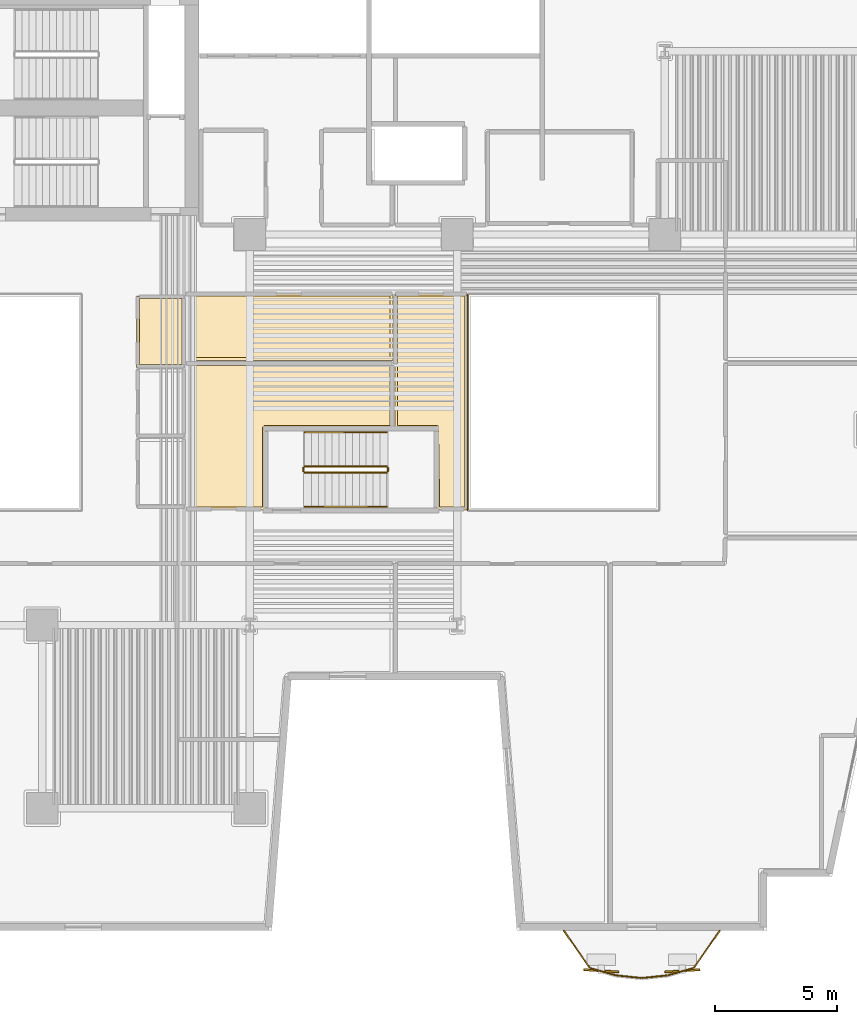
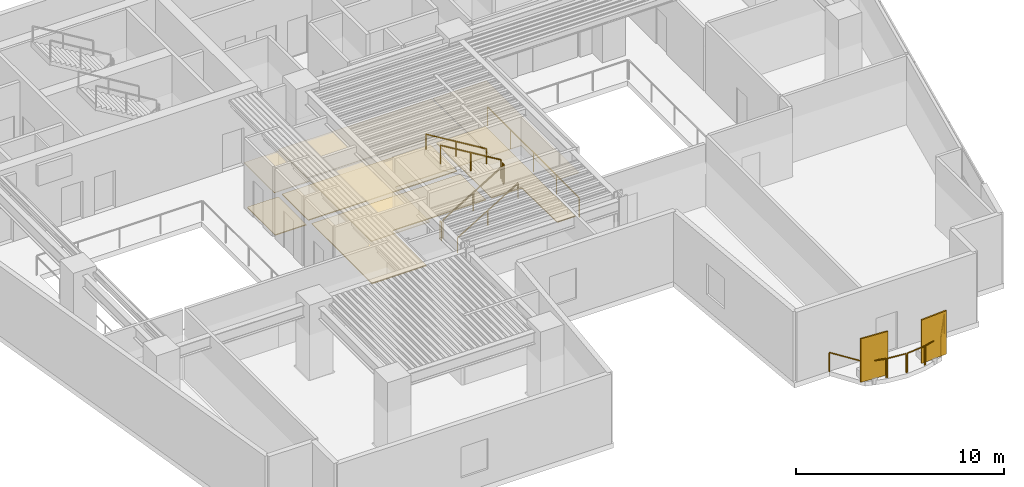
# One storey, part 8 of 11: 13 railings, 8 coverings, 2 shading devices.
"""IFC4 building model written with IfcOpenShell, lengths in metres."""

import ifcopenshell
import ifcopenshell.guid

model = None  # the IFC model being written
_history = None  # IfcOwnerHistory: only IFC2X3 demands one
_inside = {}  # id of a spatial element -> (the spatial element, [elements in it])
_under = {}  # id of a project, library or spatial element -> (it, [spatial elements below it])
_declared = {}  # id of a project -> (the project, [libraries it declares])
_typed = {}  # id of a type object -> (the type object, [elements of that type])
_made_of = {}  # id of a material, layer set ... -> (it, [elements and type objects made of it])


def new_model(schema):
    """Start an empty IFC model of exactly this schema.

    Asked for "IFC4X3", IfcOpenShell would pick the latest addendum, in which some entities
    have other attributes; the version numbers below select the first issue.
    IFC2X3 requires an IfcOwnerHistory on every rooted entity: one is made here for all.
    """
    global model, _history
    if schema == "IFC4X3":
        model = ifcopenshell.file(schema_version=(4, 3, 0, 0))
    else:
        model = ifcopenshell.file(schema=schema)
    _inside.clear()
    _under.clear()
    _declared.clear()
    _typed.clear()
    _made_of.clear()
    _history = None
    if model.schema == "IFC2X3":
        org = make("IfcOrganization", Name="unknown")
        user = make(
            "IfcPersonAndOrganization",
            ThePerson=make("IfcPerson", FamilyName="unknown"),
            TheOrganization=org,
        )
        app = make(
            "IfcApplication",
            ApplicationDeveloper=org,
            Version="unknown",
            ApplicationFullName="unknown",
            ApplicationIdentifier="unknown",
        )
        _history = make(
            "IfcOwnerHistory",
            OwningUser=user,
            OwningApplication=app,
            ChangeAction="ADDED",
            CreationDate=0,
        )
    return model


def make(cls, **values):
    """One entity of the class cls with the attributes given. An attribute that is None is left unset."""
    return model.create_entity(
        cls, **{name: value for name, value in values.items() if value is not None}
    )


def rooted(cls, **values):
    """An entity with a GlobalId (a new one), such as an element, a storey or a relation."""
    return make(cls, GlobalId=ifcopenshell.guid.new(), OwnerHistory=_history, **values)


def si_unit(unit_type, name, prefix=None):
    """IfcSIUnit, for example si_unit("LENGTHUNIT", "METRE", prefix="MILLI")."""
    return make("IfcSIUnit", UnitType=unit_type, Prefix=prefix, Name=name)


def assignment(units):
    """IfcUnitAssignment: the units of a project."""
    return None if units is None else make("IfcUnitAssignment", Units=units)


def point(xyz):
    """IfcCartesianPoint."""
    return None if xyz is None else make("IfcCartesianPoint", Coordinates=xyz)


def direction(xyz):
    """IfcDirection."""
    return None if xyz is None else make("IfcDirection", DirectionRatios=xyz)


def frame(location, z_axis=None, x_axis=None):
    """IfcAxis2Placement3D, a coordinate frame: its origin and axes. An axis left out is left unset."""
    return make(
        "IfcAxis2Placement3D",
        Location=point(location),
        Axis=direction(z_axis),
        RefDirection=direction(x_axis),
    )


def frame_2d(location, x_axis=None):
    """IfcAxis2Placement2D, a coordinate frame in the plane: its origin and x axis."""
    return make(
        "IfcAxis2Placement2D", Location=point(location), RefDirection=direction(x_axis)
    )


def origin():
    """The frame at (0, 0, 0) with its axes left unset."""
    return frame((0.0, 0.0, 0.0))


def origin_2d():
    """The frame at (0, 0) in the plane with its x axis left unset."""
    return frame_2d((0.0, 0.0))


def place(relative_to, where):
    """IfcLocalPlacement: puts the frame where relative to a parent placement (None: the world)."""
    return make(
        "IfcLocalPlacement", PlacementRelTo=relative_to, RelativePlacement=where
    )


def context(
    kind, dimensions, precision=None, world=None, true_north=None, identifier=None
):
    """IfcGeometricRepresentationContext, for example the 3D "Model" context."""
    return make(
        "IfcGeometricRepresentationContext",
        ContextIdentifier=identifier,
        ContextType=kind,
        CoordinateSpaceDimension=dimensions,
        Precision=precision,
        WorldCoordinateSystem=world,
        TrueNorth=true_north,
    )


def subcontext(parent, identifier, kind, view, scale=None):
    """IfcGeometricRepresentationSubContext, for example "Body" below "Model"."""
    return make(
        "IfcGeometricRepresentationSubContext",
        ContextIdentifier=identifier,
        ContextType=kind,
        ParentContext=parent,
        TargetScale=scale,
        TargetView=view,
    )


def project(units=None, contexts=None):
    """IfcProject with its units and contexts."""
    return rooted(
        "IfcProject",
        Name="project",
        RepresentationContexts=contexts,
        UnitsInContext=assignment(units),
    )


def spatial(cls, under=None, at=None, **own):
    """A site, building, storey or space (cls), placed at a placement, below another one or the project."""
    s = rooted(cls, ObjectPlacement=at, **own)
    if under is not None:
        _under.setdefault(under.id(), (under, []))[1].append(s)
    return s


def polyline(points):
    """IfcPolyline through the points."""
    return make("IfcPolyline", Points=[point(p) for p in points])


def profile(cls, at=None, kind="AREA", **sizes):
    """A parametric profile (cls). Its sizes go by their IFC names, for example OverallWidth=200.0."""
    return make(cls, ProfileType=kind, Position=at, **sizes)


def rectangle(**sizes):
    """IfcRectangleProfileDef."""
    return profile("IfcRectangleProfileDef", **sizes)


def outline(outer, holes=None, kind="AREA"):
    """IfcArbitraryClosedProfileDef: a profile drawn as a closed curve; with holes, ...WithVoids."""
    if holes is None:
        return make("IfcArbitraryClosedProfileDef", ProfileType=kind, OuterCurve=outer)
    return make(
        "IfcArbitraryProfileDefWithVoids",
        ProfileType=kind,
        OuterCurve=outer,
        InnerCurves=holes,
    )


def extrude(swept, where, along, depth):
    """IfcExtrudedAreaSolid: the profile swept, set in the frame where, extruded along a direction by depth."""
    return make(
        "IfcExtrudedAreaSolid",
        SweptArea=swept,
        Position=where,
        ExtrudedDirection=direction(along),
        Depth=depth,
    )


def shape(context_of_items, identifier, shape_type, items):
    """IfcShapeRepresentation: the items that make up one representation, for example the "Body"."""
    return make(
        "IfcShapeRepresentation",
        ContextOfItems=context_of_items,
        RepresentationIdentifier=identifier,
        RepresentationType=shape_type,
        Items=items,
    )


def material(Name=None, Category=None):
    """IfcMaterial."""
    return make("IfcMaterial", Name=Name, Category=Category)


def layer(
    of_material, thickness, ventilated=None, Name=None, Category=None, Priority=None
):
    """IfcMaterialLayer: one layer of a wall or slab, of a material (None: an air gap)."""
    return make(
        "IfcMaterialLayer",
        Material=of_material,
        LayerThickness=thickness,
        IsVentilated=ventilated,
        Name=Name,
        Category=Category,
        Priority=Priority,
    )


def layer_set(layers, Name=None):
    """IfcMaterialLayerSet."""
    return make("IfcMaterialLayerSet", MaterialLayers=layers, LayerSetName=Name)


def made_of(thing, what):
    """Note that an element or type object is made of a material, layer set ...; save() writes the relation."""
    if what is not None:
        _made_of.setdefault(what.id(), (what, []))[1].append(thing)
    return thing


def type_object(cls, material=None, **own):
    """A type object (cls), such as IfcWallType, which elements share."""
    return made_of(rooted(cls, **own), material)


def element(
    cls,
    number,
    at=None,
    inside=None,
    cuts=None,
    type_object=None,
    material=None,
    context=None,
    identifier="Body",
    shape_type=None,
    held_by="IfcProductDefinitionShape",
    body=None,
    shapes=None,
    **own,
):
    """One element of the class cls, such as IfcWall. Its Tag is "e" and its number.

    at: its placement. inside: the storey or other place that contains it. cuts: it is an
    opening in that element (IfcRelVoidsElement). A single representation is given by context,
    identifier, shape_type and body (its items); several are given by shapes. held_by: the class
    of the entity that holds the representations. save() writes the other relations.
    """
    e = rooted(cls, Tag="e%d" % number, ObjectPlacement=at, **own)
    if body is not None:
        shapes = [shape(context, identifier, shape_type, body)]
    if shapes is not None:
        e.Representation = make(held_by, Representations=shapes)
    if inside is not None:
        _inside.setdefault(inside.id(), (inside, []))[1].append(e)
    if cuts is not None:
        rooted(
            "IfcRelVoidsElement", RelatingBuildingElement=cuts, RelatedOpeningElement=e
        )
    if type_object is not None:
        _typed.setdefault(type_object.id(), (type_object, []))[1].append(e)
    return made_of(e, material)


def aggregate(whole, parts):
    """IfcRelAggregates: a whole, such as a stair, and the parts it consists of."""
    return rooted("IfcRelAggregates", RelatingObject=whole, RelatedObjects=parts)


def save(model, path):
    """Write the relations noted so far, then the file.

    IfcRelAggregates (storeys below a building ...), IfcRelContainedInSpatialStructure (elements
    in a storey), IfcRelDefinesByType, IfcRelAssociatesMaterial and IfcRelDeclares: one each for
    every whole, place, type object, material and project.
    """
    for whole, parts in _under.values():
        aggregate(whole, parts)
    for where, things in _inside.values():
        rooted(
            "IfcRelContainedInSpatialStructure",
            RelatedElements=things,
            RelatingStructure=where,
        )
    for kind, things in _typed.values():
        rooted("IfcRelDefinesByType", RelatedObjects=things, RelatingType=kind)
    for what, things in _made_of.values():
        rooted("IfcRelAssociatesMaterial", RelatedObjects=things, RelatingMaterial=what)
    for by, libraries in _declared.values():
        rooted("IfcRelDeclares", RelatingContext=by, RelatedDefinitions=libraries)
    model.write(path)


model = new_model("IFC4")

# Units and contexts
model_context = context("Model", 3, precision=1e-05, world=origin(), true_north=direction((0.0, 1.0)))
body_context = subcontext(model_context, "Body", "Model", "MODEL_VIEW")
ifc_project = project(units=[si_unit("LENGTHUNIT", "METRE"), si_unit("AREAUNIT", "SQUARE_METRE"), si_unit("VOLUMEUNIT", "CUBIC_METRE"), si_unit("PLANEANGLEUNIT", "RADIAN"), si_unit("MASSUNIT", "GRAM", prefix="KILO")], contexts=[model_context])

# Site, building, storey
site_placement = place(None, origin())
site = spatial("IfcSite", under=ifc_project, at=site_placement, CompositionType="ELEMENT")
building_placement = place(site_placement, origin())
building = spatial("IfcBuilding", under=site, at=building_placement, Name="Caeloran Harvest Quay", CompositionType="ELEMENT")
storey_placement = place(building_placement, frame((0.0, 0.0, 53.39990234375)))
storey = spatial("IfcBuildingStorey", under=building, at=storey_placement, Name="L12", CompositionType="ELEMENT", Elevation=53.39990234375)

# Coverings
ifc_material_1 = material(Name="Perforated Mineral-Fibre Acoustic Ceiling Tile", Category="ceiling")
ifc_layer_1 = layer(ifc_material_1, 0.0400390625, Name="Perforated Mineral-Fibre Acoustic Ceiling Tile")
ifc_layer_set_1 = layer_set([ifc_layer_1], Name="Perforated Mineral-Fibre Acoustic Ceiling Tile")
covering_type_1 = type_object("IfcCoveringType", Name="COV-CEILING-ACOUSTIC", PredefinedType="CEILING", material=ifc_layer_set_1)
covering_1_placement = place(storey_placement, frame((0.0, 0.0, 2.60009765625)))
element("IfcCovering", 1, at=covering_1_placement, inside=storey, type_object=covering_type_1, Name="L12 Male Washroom WC Acoustic Ceiling", PredefinedType="CEILING", context=body_context, shape_type="SweptSolid", body=[
    extrude(outline(polyline([(22.840087890625, 25.56005859375), (20.8701171875, 25.56005859375), (20.8701171875, 28.489990234375), (22.840087890625, 28.489990234375), (22.840087890625, 25.56005859375)])), origin(), (0.0, 0.0, 1.0), 0.0400390625),
])
covering_2_placement = place(storey_placement, frame((0.0, 0.0, 2.60009765625)))
element("IfcCovering", 2, at=covering_2_placement, inside=storey, type_object=covering_type_1, Name="Tea Blending Kitchen Acoustic Ceiling", PredefinedType="CEILING", context=body_context, shape_type="SweptSolid", body=[
    extrude(outline(polyline([(26.139892578125, 23.06005859375), (26.139892578125, 19.7099609375), (22.8701171875, 19.7099609375), (22.8701171875, 25.760009765625), (31.360107421875, 25.760009765625), (31.360107421875, 23.06005859375), (26.139892578125, 23.06005859375)])), origin(), (0.0, 0.0, 1.0), 0.0400390625),
])
covering_3_placement = place(storey_placement, frame((0.0, 0.0, 2.60009765625)))
element("IfcCovering", 3, at=covering_3_placement, inside=storey, type_object=covering_type_1, Name="Fermented Botanical Kitchen 8 Acoustic Ceiling", PredefinedType="CEILING", context=body_context, shape_type="SweptSolid", body=[
    extrude(outline(polyline([(31.43994140625, 28.610107421875), (34.409912109375, 28.610107421875), (34.409912109375, 19.7099609375), (33.160400390625, 19.7099609375), (33.13037109375, 23.06005859375), (31.43994140625, 23.06005859375), (31.43994140625, 28.610107421875)])), origin(), (0.0, 0.0, 1.0), 0.0400390625),
])
covering_4_placement = place(storey_placement, frame((0.0, 0.0, 2.60009765625)))
element("IfcCovering", 4, at=covering_4_placement, inside=storey, type_object=covering_type_1, Name="Hydroponic Culinary Kitchen 9 Acoustic Ceiling", PredefinedType="CEILING", context=body_context, shape_type="SweptSolid", body=[
    extrude(outline(polyline([(22.8701171875, 28.512939453125), (22.85009765625, 28.52001953125), (22.85009765625, 28.610107421875), (31.360107421875, 28.610107421875), (31.360107421875, 25.840087890625), (22.8701171875, 25.840087890625), (22.8701171875, 28.512939453125)])), origin(), (0.0, 0.0, 1.0), 0.0400390625),
])
ifc_material_2 = material(Name="Calcium-Sulphate Raised Access Floor and Terrazzo Finish", Category="flooring")
ifc_layer_2 = layer(ifc_material_2, 0.050048828125, Name="Calcium-Sulphate Raised Access Floor and Terrazzo Finish")
ifc_layer_set_2 = layer_set([ifc_layer_2], Name="Calcium-Sulphate Raised Access Floor and Terrazzo Finish")
covering_type_2 = type_object("IfcCoveringType", Name="COV-FLOOR-RAISED", PredefinedType="FLOORING", material=ifc_layer_set_2)
covering_5_placement = place(storey_placement, origin())
element("IfcCovering", 5, at=covering_5_placement, inside=storey, type_object=covering_type_2, Name="L12 Male Washroom WC Raised Finish Flooring", PredefinedType="FLOORING", context=body_context, shape_type="SweptSolid", body=[
    extrude(outline(polyline([(22.719970703125, 25.679931640625), (20.989990234375, 25.679931640625), (20.989990234375, 28.3701171875), (22.719970703125, 28.3701171875), (22.719970703125, 25.679931640625)])), origin(), (0.0, 0.0, 1.0), 0.050048828125),
])
covering_6_placement = place(storey_placement, origin())
element("IfcCovering", 6, at=covering_6_placement, inside=storey, type_object=covering_type_2, Name="Tea Blending Kitchen Raised Finish Flooring", PredefinedType="FLOORING", context=body_context, shape_type="SweptSolid", body=[
    extrude(outline(polyline([(26.101806640625, 23.17626953125), (26.04248046875, 23.13671875), (26.02001953125, 23.070068359375), (26.02001953125, 19.830078125), (22.989990234375, 19.830078125), (22.989990234375, 25.639892578125), (31.239990234375, 25.639892578125), (31.239990234375, 23.179931640625), (26.101806640625, 23.17626953125)])), origin(), (0.0, 0.0, 1.0), 0.050048828125),
])
covering_7_placement = place(storey_placement, origin())
element("IfcCovering", 7, at=covering_7_placement, inside=storey, type_object=covering_type_2, Name="Fermented Botanical Kitchen 8 Raised Finish Flooring", PredefinedType="FLOORING", context=body_context, shape_type="SweptSolid", body=[
    extrude(outline(polyline([(31.56005859375, 28.489990234375), (34.2900390625, 28.489990234375), (34.2900390625, 19.830078125), (33.279296875, 19.830078125), (33.231689453125, 23.151123046875), (33.169921875, 23.179931640625), (31.56005859375, 23.179931640625), (31.56005859375, 28.489990234375)])), origin(), (0.0, 0.0, 1.0), 0.050048828125),
])
covering_8_placement = place(storey_placement, origin())
element("IfcCovering", 8, at=covering_8_placement, inside=storey, type_object=covering_type_2, Name="Hydroponic Culinary Kitchen 9 Raised Finish Flooring", PredefinedType="FLOORING", context=body_context, shape_type="SweptSolid", body=[
    extrude(outline(polyline([(22.989990234375, 28.489990234375), (31.239990234375, 28.489990234375), (31.239990234375, 25.9599609375), (22.989990234375, 25.9599609375), (22.989990234375, 28.489990234375)])), origin(), (0.0, 0.0, 1.0), 0.050048828125),
])

# Railings
ifc_material_3 = material(Name="Powder-Coated Steel Post and Laminated Glass Guardrail", Category="steel")
ifc_layer_3 = layer(ifc_material_3, 0.06005859375, Name="Powder-Coated Steel Post and Laminated Glass Guardrail")
ifc_layer_set_3 = layer_set([ifc_layer_3], Name="Powder-Coated Steel Post and Laminated Glass Guardrail")
railing_type_1 = type_object("IfcRailingType", Name="GUARD-ATRIUM-1150", PredefinedType="GUARDRAIL", material=ifc_layer_set_3)
railing_1_placement = place(storey_placement, frame((34.429931640625, 28.5380859375, 0.0)))
element("IfcRailing", 9, at=railing_1_placement, inside=storey, type_object=railing_type_1, Name="L12 East Botanical Lightwell Guardrail Seg 4", PredefinedType="GUARDRAIL", context=body_context, shape_type="SweptSolid", body=[
    extrude(rectangle(XDim=0.048095703125, YDim=0.048095703125, at=origin_2d()), frame((0.0, 0.0, 1.1259765625), z_axis=(0.0, -1.0, 0.0), x_axis=(1.0, 0.0, 0.0)), (0.0, 0.0, 1.0), 8.826171875),
    extrude(rectangle(XDim=0.0419921875, YDim=0.0419921875, at=origin_2d()), origin(), (0.0, 0.0, 1.0), 1.101806640625),
    extrude(rectangle(XDim=0.0419921875, YDim=0.0419921875, at=origin_2d()), frame((0.0, -2.20654296875, 0.0)), (0.0, 0.0, 1.0), 1.101806640625),
    extrude(rectangle(XDim=0.0419921875, YDim=0.0419921875, at=origin_2d()), frame((0.0, -4.4130859375, 0.0)), (0.0, 0.0, 1.0), 1.101806640625),
    extrude(rectangle(XDim=0.0419921875, YDim=0.0419921875, at=origin_2d()), frame((0.0, -6.61962890625, 0.0)), (0.0, 0.0, 1.0), 1.101806640625),
    extrude(rectangle(XDim=0.0419921875, YDim=0.0419921875, at=origin_2d()), frame((0.0, -8.826171875, 0.0)), (0.0, 0.0, 1.0), 1.101806640625),
])
ifc_material_4 = material(Name="Laminated Safety Glass and Stainless Steel 316", Category="steel")
ifc_layer_4 = layer(ifc_material_4, 0.06005859375, Name="Laminated Safety Glass and Stainless Steel 316")
ifc_layer_set_4 = layer_set([ifc_layer_4], Name="Laminated Safety Glass and Stainless Steel 316")
railing_type_2 = type_object("IfcRailingType", Name="GUARD-BALUSTRADE-1150", PredefinedType="BALUSTRADE", material=ifc_layer_set_4)
railing_2_placement = place(storey_placement, frame((44.7509765625, 2.47998046875, 0.0)))
element("IfcRailing", 10, at=railing_2_placement, inside=storey, type_object=railing_type_2, Name="L12 Planted Balcony Perimeter Balustrade Guard Seg 1", PredefinedType="BALUSTRADE", context=body_context, shape_type="SweptSolid", body=[
    extrude(rectangle(XDim=0.048095703125, YDim=0.048095703125, at=origin_2d()), frame((0.0, 0.0, 1.1259765625), z_axis=(-0.572708438792, -0.819759137879, 0.0), x_axis=(0.819759137879, -0.572708438792, 0.0)), (0.0, 0.0, 1.0), 1.826171875),
    extrude(rectangle(XDim=0.0419921875, YDim=0.0419921875, at=origin_2d()), origin(), (0.0, 0.0, 1.0), 1.101806640625),
    extrude(rectangle(XDim=0.0419921875, YDim=0.0419921875, at=origin_2d()), frame((-1.0458984375, -1.4970703125, 0.0)), (0.0, 0.0, 1.0), 1.101806640625),
])
railing_3_placement = place(storey_placement, frame((43.656005859375, 0.94775390625, 0.0)))
element("IfcRailing", 11, at=railing_3_placement, inside=storey, type_object=railing_type_2, Name="L12 Planted Balcony Perimeter Balustrade Guard Seg 2", PredefinedType="BALUSTRADE", context=body_context, shape_type="SweptSolid", body=[
    extrude(rectangle(XDim=0.048095703125, YDim=0.048095703125, at=origin_2d()), frame((0.0, 0.0, 1.1259765625), z_axis=(-0.961903159645, -0.273390401195, 0.0), x_axis=(0.273390401195, -0.961903159645, 0.0)), (0.0, 0.0, 1.0), 1.042236328125),
    extrude(rectangle(XDim=0.0419921875, YDim=0.0419921875, at=origin_2d()), origin(), (0.0, 0.0, 1.0), 1.101806640625),
    extrude(rectangle(XDim=0.0419921875, YDim=0.0419921875, at=origin_2d()), frame((-1.00244140625, -0.284912109375, 0.0)), (0.0, 0.0, 1.0), 1.101806640625),
])
railing_4_placement = place(storey_placement, frame((42.5908203125, 0.650634765625, 0.0)))
element("IfcRailing", 12, at=railing_4_placement, inside=storey, type_object=railing_type_2, Name="L12 Planted Balcony Perimeter Balustrade Guard Seg 3", PredefinedType="BALUSTRADE", context=body_context, shape_type="SweptSolid", body=[
    extrude(rectangle(XDim=0.048095703125, YDim=0.048095703125, at=origin_2d()), frame((0.0, 0.0, 1.1259765625), z_axis=(-0.994615282107, -0.103636096989, 0.0), x_axis=(0.103636096989, -0.994615282107, 0.0)), (0.0, 0.0, 1.0), 1.005859375),
    extrude(rectangle(XDim=0.0419921875, YDim=0.0419921875, at=origin_2d()), origin(), (0.0, 0.0, 1.0), 1.101806640625),
    extrude(rectangle(XDim=0.0419921875, YDim=0.0419921875, at=origin_2d()), frame((-1.00048828125, -0.104248046875, 0.0)), (0.0, 0.0, 1.0), 1.101806640625),
])
railing_5_placement = place(storey_placement, frame((41.526611328125, 0.54638671875, 0.0)))
element("IfcRailing", 13, at=railing_5_placement, inside=storey, type_object=railing_type_2, Name="L12 Planted Balcony Perimeter Balustrade Guard Seg 4", PredefinedType="BALUSTRADE", context=body_context, shape_type="SweptSolid", body=[
    extrude(rectangle(XDim=0.048095703125, YDim=0.048095703125, at=origin_2d()), frame((0.0, 0.0, 1.1259765625), z_axis=(-0.994615282107, 0.103636096989, 0.0), x_axis=(-0.103636096989, -0.994615282107, 0.0)), (0.0, 0.0, 1.0), 1.005859375),
    extrude(rectangle(XDim=0.0419921875, YDim=0.0419921875, at=origin_2d()), origin(), (0.0, 0.0, 1.0), 1.101806640625),
    extrude(rectangle(XDim=0.0419921875, YDim=0.0419921875, at=origin_2d()), frame((-1.00048828125, 0.104248046875, 0.0)), (0.0, 0.0, 1.0), 1.101806640625),
])
railing_6_placement = place(storey_placement, frame((40.46337890625, 0.662841796875, 0.0)))
element("IfcRailing", 14, at=railing_6_placement, inside=storey, type_object=railing_type_2, Name="L12 Planted Balcony Perimeter Balustrade Guard Seg 5", PredefinedType="BALUSTRADE", context=body_context, shape_type="SweptSolid", body=[
    extrude(rectangle(XDim=0.048095703125, YDim=0.048095703125, at=origin_2d()), frame((0.0, 0.0, 1.1259765625), z_axis=(-0.961903159645, 0.273390401195, 0.0), x_axis=(-0.273390401195, -0.961903159645, 0.0)), (0.0, 0.0, 1.0), 1.042236328125),
    extrude(rectangle(XDim=0.0419921875, YDim=0.0419921875, at=origin_2d()), origin(), (0.0, 0.0, 1.0), 1.101806640625),
    extrude(rectangle(XDim=0.0419921875, YDim=0.0419921875, at=origin_2d()), frame((-1.00244140625, 0.284912109375, 0.0)), (0.0, 0.0, 1.0), 1.101806640625),
])
railing_7_placement = place(storey_placement, frame((39.411865234375, 0.98291015625, 0.0)))
element("IfcRailing", 15, at=railing_7_placement, inside=storey, type_object=railing_type_2, Name="L12 Planted Balcony Perimeter Balustrade Guard Seg 6", PredefinedType="BALUSTRADE", context=body_context, shape_type="SweptSolid", body=[
    extrude(rectangle(XDim=0.048095703125, YDim=0.048095703125, at=origin_2d()), frame((0.0, 0.0, 1.1259765625), z_axis=(-0.572708438792, 0.819759137879, 0.0), x_axis=(-0.819759137879, -0.572708438792, 0.0)), (0.0, 0.0, 1.0), 1.826171875),
    extrude(rectangle(XDim=0.0419921875, YDim=0.0419921875, at=origin_2d()), origin(), (0.0, 0.0, 1.0), 1.101806640625),
    extrude(rectangle(XDim=0.0419921875, YDim=0.0419921875, at=origin_2d()), frame((-1.0458984375, 1.4970703125, 0.0)), (0.0, 0.0, 1.0), 1.101806640625),
])

# Shading devices
ifc_material_5 = material(Name="3003-H14 Perforated Powder-Coated Aluminium", Category="aluminium")
shading_device_type = type_object("IfcShadingDeviceType", Name="SHADE-SCREEN-FOLDED", PredefinedType="USERDEFINED", material=ifc_material_5)
for number, where, z_axis, x_axis, name in (
    (16, (43.218505859375, 0.838623046875, 0.0751953125), (0.0, 0.0, 1.0), (0.997801468292, 0.0662739004, 0.0), "L12 Folded Facade Breathing Screen 1"),
    (17, (39.8984375, 0.838623046875, 0.0751953125), (0.0, 0.0, 1.0), (0.997801468292, -0.0662739004, 0.0), "L12 Folded Facade Breathing Screen 2"),
):
    element("IfcShadingDevice", number, at=place(storey_placement, frame(where, z_axis=z_axis, x_axis=x_axis)), inside=storey, type_object=shading_device_type, Name=name, ObjectType="SCREEN", PredefinedType="USERDEFINED", context=body_context, shape_type="SweptSolid", body=[
        extrude(rectangle(XDim=1.449951171875, YDim=0.080078125, at=origin_2d()), origin(), (0.0, 0.0, 1.0), 2.550048828125),
    ])

# Railings
ifc_material_6 = material(Name="Painted Steel Baluster and Top-Rail Stair Guard", Category="steel")
ifc_layer_5 = layer(ifc_material_6, 0.050048828125, Name="Painted Steel Baluster and Top-Rail Stair Guard")
ifc_layer_set_5 = layer_set([ifc_layer_5], Name="Painted Steel Baluster and Top-Rail Stair Guard")
railing_type_3 = type_object("IfcRailingType", Name="STAIR-GUARD-1100", PredefinedType="GUARDRAIL", material=ifc_layer_set_5)
railing_8_placement = place(storey_placement, frame((27.75, 21.25, 0.16943359375)))
element("IfcRailing", 18, at=railing_8_placement, inside=storey, type_object=railing_type_3, Name="L12 ST-W1 stair guard 1", PredefinedType="GUARDRAIL", context=body_context, shape_type="SweptSolid", body=[
    extrude(rectangle(XDim=0.048095703125, YDim=0.048095703125, at=origin_2d()), frame((0.0, 0.0, 1.076171875), z_axis=(0.855836976705, 0.0, 0.517245656632), x_axis=(0.0, 1.0, 0.0)), (0.0, 0.0, 1.0), 3.926025390625),
    extrude(rectangle(XDim=0.0419921875, YDim=0.0419921875, at=origin_2d()), origin(), (0.0, 0.0, 1.0), 1.052001953125),
    extrude(rectangle(XDim=0.0419921875, YDim=0.0419921875, at=origin_2d()), frame((1.68017578125, 0.0, 1.015380859375)), (0.0, 0.0, 1.0), 1.052001953125),
    extrude(rectangle(XDim=0.0419921875, YDim=0.0419921875, at=origin_2d()), frame((3.360107421875, 0.0, 2.03076171875)), (0.0, 0.0, 1.0), 1.052001953125),
])
railing_9_placement = place(storey_placement, frame((31.159912109375, 21.300048828125, 2.2001953125)))
element("IfcRailing", 19, at=railing_9_placement, inside=storey, type_object=railing_type_3, Name="L12 ST-W1 stair guard 2", PredefinedType="GUARDRAIL", context=body_context, shape_type="SweptSolid", body=[
    extrude(rectangle(XDim=0.048095703125, YDim=0.048095703125, at=origin_2d()), frame((0.0, 0.0, 1.076171875), z_axis=(0.0, 1.0, 0.0), x_axis=(-1.0, 0.0, 0.0)), (0.0, 0.0, 1.0), 0.14990234375),
    extrude(rectangle(XDim=0.0419921875, YDim=0.0419921875, at=origin_2d()), origin(), (0.0, 0.0, 1.0), 1.052001953125),
    extrude(rectangle(XDim=0.0419921875, YDim=0.0419921875, at=origin_2d()), frame((0.0, 0.14990234375, 0.0)), (0.0, 0.0, 1.0), 1.052001953125),
])
railing_10_placement = place(storey_placement, frame((31.110107421875, 21.5, 2.369384765625)))
element("IfcRailing", 20, at=railing_10_placement, inside=storey, type_object=railing_type_3, Name="L12 ST-W1 stair guard 3", PredefinedType="GUARDRAIL", context=body_context, shape_type="SweptSolid", body=[
    extrude(rectangle(XDim=0.048095703125, YDim=0.048095703125, at=origin_2d()), frame((0.0, 0.0, 1.076171875), z_axis=(-0.855836976705, 0.0, 0.517245656632), x_axis=(0.0, -1.0, 0.0)), (0.0, 0.0, 1.0), 3.926025390625),
    extrude(rectangle(XDim=0.0419921875, YDim=0.0419921875, at=origin_2d()), origin(), (0.0, 0.0, 1.0), 1.052001953125),
    extrude(rectangle(XDim=0.0419921875, YDim=0.0419921875, at=origin_2d()), frame((-1.68017578125, 0.0, 1.015380859375)), (0.0, 0.0, 1.0), 1.052001953125),
    extrude(rectangle(XDim=0.0419921875, YDim=0.0419921875, at=origin_2d()), frame((-3.360107421875, 0.0, 2.03076171875)), (0.0, 0.0, 1.0), 1.052001953125),
])
railing_11_placement = place(storey_placement, frame((27.699951171875, 21.300048828125, 0.0)))
element("IfcRailing", 21, at=railing_11_placement, inside=storey, type_object=railing_type_3, Name="L12 ST-W1 stair guard 4", PredefinedType="GUARDRAIL", context=body_context, shape_type="SweptSolid", body=[
    extrude(rectangle(XDim=0.048095703125, YDim=0.048095703125, at=origin_2d()), frame((0.0, 0.0, 1.076171875), z_axis=(0.0, 1.0, 0.0), x_axis=(-1.0, 0.0, 0.0)), (0.0, 0.0, 1.0), 0.14990234375),
    extrude(rectangle(XDim=0.0419921875, YDim=0.0419921875, at=origin_2d()), origin(), (0.0, 0.0, 1.0), 1.052001953125),
    extrude(rectangle(XDim=0.0419921875, YDim=0.0419921875, at=origin_2d()), frame((0.0, 0.14990234375, 0.0)), (0.0, 0.0, 1.0), 1.052001953125),
])
ifc_material_7 = material(Name="Brushed Stainless Steel Grade 304", Category="steel")
ifc_layer_6 = layer(ifc_material_7, 0.050048828125, Name="Brushed Stainless Steel Grade 304")
ifc_layer_set_6 = layer_set([ifc_layer_6], Name="Brushed Stainless Steel Grade 304")
railing_type_4 = type_object("IfcRailingType", Name="STAIR-HANDRAIL-900", PredefinedType="HANDRAIL", material=ifc_layer_set_6)
railing_12_placement = place(storey_placement, frame((27.75, 19.85009765625, 0.16943359375)))
element("IfcRailing", 22, at=railing_12_placement, inside=storey, type_object=railing_type_4, Name="L12 ST-W1 stair handrail 1", PredefinedType="HANDRAIL", context=body_context, shape_type="SweptSolid", body=[
    extrude(rectangle(XDim=0.048095703125, YDim=0.048095703125, at=origin_2d()), frame((0.0, 0.0, 0.8759765625), z_axis=(0.855836976705, 0.0, 0.517245656632), x_axis=(0.0, 1.0, 0.0)), (0.0, 0.0, 1.0), 3.926025390625),
    extrude(rectangle(XDim=0.0419921875, YDim=0.0419921875, at=origin_2d()), origin(), (0.0, 0.0, 1.0), 0.851806640625),
    extrude(rectangle(XDim=0.0419921875, YDim=0.0419921875, at=origin_2d()), frame((1.68017578125, 0.0, 1.015380859375)), (0.0, 0.0, 1.0), 0.851806640625),
    extrude(rectangle(XDim=0.0419921875, YDim=0.0419921875, at=origin_2d()), frame((3.360107421875, 0.0, 2.03076171875)), (0.0, 0.0, 1.0), 0.851806640625),
])
railing_13_placement = place(storey_placement, frame((31.110107421875, 22.89990234375, 2.369384765625)))
element("IfcRailing", 23, at=railing_13_placement, inside=storey, type_object=railing_type_4, Name="L12 ST-W1 stair handrail 2", PredefinedType="HANDRAIL", context=body_context, shape_type="SweptSolid", body=[
    extrude(rectangle(XDim=0.048095703125, YDim=0.048095703125, at=origin_2d()), frame((0.0, 0.0, 0.8759765625), z_axis=(-0.855836976705, 0.0, 0.517245656632), x_axis=(0.0, -1.0, 0.0)), (0.0, 0.0, 1.0), 3.926025390625),
    extrude(rectangle(XDim=0.0419921875, YDim=0.0419921875, at=origin_2d()), origin(), (0.0, 0.0, 1.0), 0.851806640625),
    extrude(rectangle(XDim=0.0419921875, YDim=0.0419921875, at=origin_2d()), frame((-1.68017578125, 0.0, 1.015380859375)), (0.0, 0.0, 1.0), 0.851806640625),
    extrude(rectangle(XDim=0.0419921875, YDim=0.0419921875, at=origin_2d()), frame((-3.360107421875, 0.0, 2.03076171875)), (0.0, 0.0, 1.0), 0.851806640625),
])

save(model, "model.ifc")
